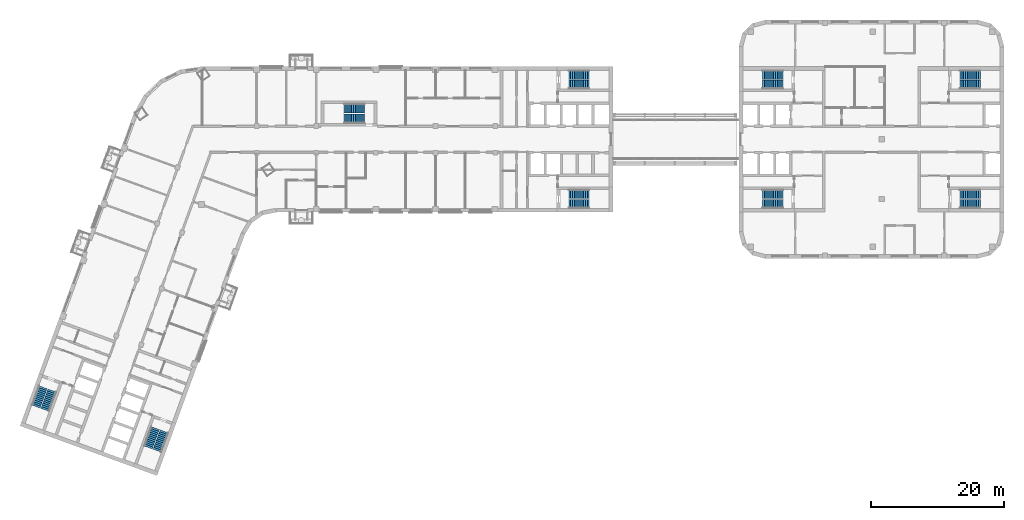
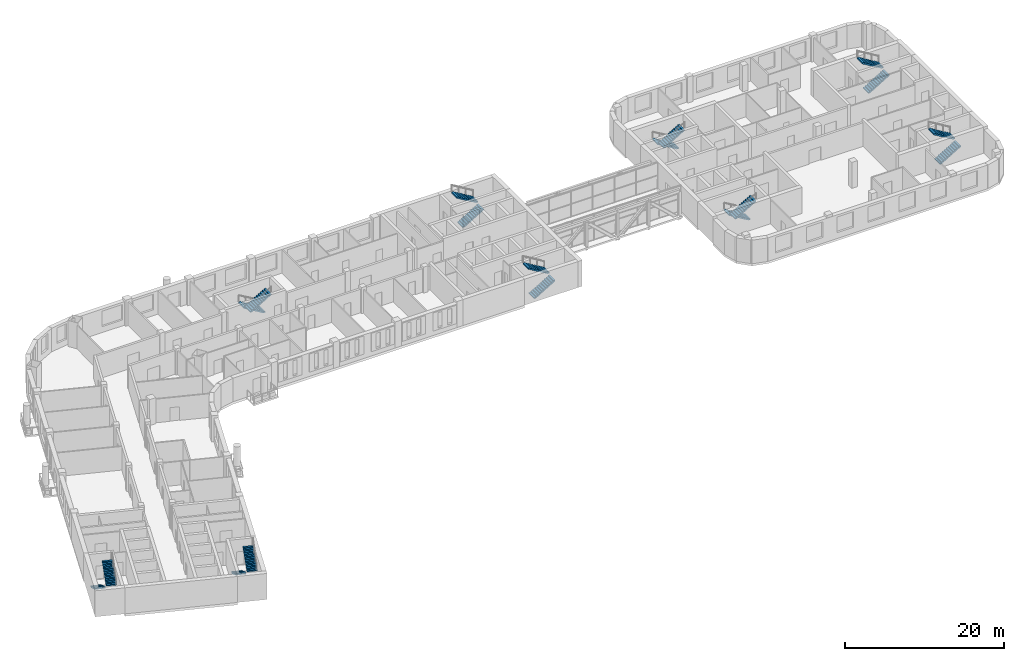
# One storey, part 13 of 18: 18 stair flights, 9 elements without a shape of their own.
"""IFC4 building model written with IfcOpenShell, lengths in metres."""

from ifc_helpers import new_model, si_unit, direction, frame, origin, place, context, subcontext, project, spatial, polyline, outline, extrude, material, type_object, element, aggregate, save


model = new_model("IFC4")

# Units and contexts
model_context = context("Model", 3, precision=1e-05, world=origin(), true_north=direction((0.0, 1.0)))
body_context = subcontext(model_context, "Body", "Model", "MODEL_VIEW")
ifc_project = project(units=[si_unit("LENGTHUNIT", "METRE"), si_unit("AREAUNIT", "SQUARE_METRE"), si_unit("VOLUMEUNIT", "CUBIC_METRE"), si_unit("PLANEANGLEUNIT", "RADIAN"), si_unit("MASSUNIT", "GRAM", prefix="KILO")], contexts=[model_context])

# Site, building, storey
site_placement = place(None, origin())
site = spatial("IfcSite", under=ifc_project, at=site_placement, CompositionType="ELEMENT")
building_placement = place(site_placement, origin())
building = spatial("IfcBuilding", under=site, at=building_placement, Name="Skarvind Civic Tower", CompositionType="ELEMENT")
storey_placement = place(building_placement, frame((0.0, 0.0, 31.5)))
storey = spatial("IfcBuildingStorey", under=building, at=storey_placement, Name="L06", CompositionType="ELEMENT", Elevation=31.5)

# Stair, stair flights
ifc_material = material(Name="Concrete C40/50", Category="concrete")
stair_type_1 = type_object("IfcStairType", Name="Exit stair 1450, half-turn, concrete", PredefinedType="HALF_TURN_STAIR", material=ifc_material)
stair_1_placement = place(storey_placement, origin())
stair_1 = element("IfcStair", 1, at=stair_1_placement, inside=storey, type_object=stair_type_1, Name="Exit stair CM", PredefinedType="HALF_TURN_STAIR")
stair_flight_type_1 = type_object("IfcStairFlightType", Name="Stair flight 1450, concrete", PredefinedType="STRAIGHT", material=ifc_material)
stair_flight_1_placement = place(storey_placement, frame((70.550048828125, 132.675048828125, 0.0), z_axis=(0.0, 0.0, 1.0), x_axis=(-1.0, 0.0, 0.0)))
stair_flight_1 = element("IfcStairFlight", 2, at=stair_flight_1_placement, type_object=stair_flight_type_1, Name="ST-CM flight 1", NumberOfRisers=12, NumberOfTreads=11, PredefinedType="STRAIGHT", RiserHeight=0.166666667, TreadLength=0.28, context=body_context, shape_type="SweptSolid", body=[
    extrude(outline(polyline([(0.0, 0.0), (0.0, 0.166748046875), (0.280029296875, 0.166748046875), (0.280029296875, 0.333251953125), (0.56005859375, 0.333251953125), (0.56005859375, 0.5), (0.840087890625, 0.5), (0.840087890625, 0.666748046875), (1.1201171875, 0.666748046875), (1.1201171875, 0.833251953125), (1.39990234375, 0.833251953125), (1.39990234375, 1.0), (1.679931640625, 1.0), (1.679931640625, 1.166748046875), (1.9599609375, 1.166748046875), (1.9599609375, 1.333251953125), (2.239990234375, 1.333251953125), (2.239990234375, 1.5), (2.52001953125, 1.5), (2.52001953125, 1.666748046875), (2.800048828125, 1.666748046875), (2.800048828125, 1.833251953125), (3.080078125, 1.833251953125), (3.080078125, 2.0), (3.080078125, 1.658935546875), (0.29296875, 0.0), (0.0, 0.0)])), frame((0.0, 0.72509765625, 0.0), z_axis=(0.0, -1.0, 0.0), x_axis=(1.0, 0.0, 0.0)), (0.0, 0.0, 1.0), 1.449951171875),
])
stair_flight_2_placement = place(storey_placement, frame((67.469970703125, 131.125, 2.0), z_axis=(0.0, 0.0, 1.0), x_axis=(1.0, 0.0, 0.0)))
stair_flight_2 = element("IfcStairFlight", 3, at=stair_flight_2_placement, type_object=stair_flight_type_1, Name="ST-CM flight 2", NumberOfRisers=12, NumberOfTreads=11, PredefinedType="STRAIGHT", RiserHeight=0.166666667, TreadLength=0.28, context=body_context, shape_type="SweptSolid", body=[
    extrude(outline(polyline([(0.0, 0.0), (0.0, 0.166748046875), (0.280029296875, 0.166748046875), (0.280029296875, 0.333251953125), (0.56005859375, 0.333251953125), (0.56005859375, 0.5), (0.840087890625, 0.5), (0.840087890625, 0.666748046875), (1.1201171875, 0.666748046875), (1.1201171875, 0.833251953125), (1.39990234375, 0.833251953125), (1.39990234375, 1.0), (1.679931640625, 1.0), (1.679931640625, 1.166748046875), (1.9599609375, 1.166748046875), (1.9599609375, 1.333251953125), (2.239990234375, 1.333251953125), (2.239990234375, 1.5), (2.52001953125, 1.5), (2.52001953125, 1.666748046875), (2.800048828125, 1.666748046875), (2.800048828125, 1.833251953125), (3.080078125, 1.833251953125), (3.080078125, 2.0), (3.080078125, 1.658935546875), (0.29296875, 0.0), (0.0, 0.0)])), frame((0.0, 0.72509765625, 0.0), z_axis=(0.0, -1.0, 0.0), x_axis=(1.0, 0.0, 0.0)), (0.0, 0.0, 1.0), 1.449951171875),
])
aggregate(stair_1, [stair_flight_1, stair_flight_2])

stair_type_2 = type_object("IfcStairType", Name="Exit stair, half-turn, concrete", PredefinedType="HALF_TURN_STAIR", material=ifc_material)
stair_2_placement = place(storey_placement, origin())
stair_2 = element("IfcStair", 4, at=stair_2_placement, inside=storey, type_object=stair_type_2, Name="Exit stair C1S", PredefinedType="HALF_TURN_STAIR")
stair_flight_type_2 = type_object("IfcStairFlightType", Name="Stair flight, concrete", PredefinedType="STRAIGHT", material=ifc_material)
stair_flight_3_placement = place(storey_placement, frame((101.35009765625, 136.27490234375, 0.0), z_axis=(0.0, 0.0, 1.0), x_axis=(1.0, 0.0, 0.0)))
stair_flight_3 = element("IfcStairFlight", 5, at=stair_flight_3_placement, type_object=stair_flight_type_2, Name="ST-C1S flight 1", NumberOfRisers=12, NumberOfTreads=11, PredefinedType="STRAIGHT", RiserHeight=0.166666667, TreadLength=0.28, context=body_context, shape_type="SweptSolid", body=[
    extrude(outline(polyline([(0.0, 0.0), (0.0, 0.166748046875), (0.280029296875, 0.166748046875), (0.280029296875, 0.333251953125), (0.56005859375, 0.333251953125), (0.56005859375, 0.5), (0.840087890625, 0.5), (0.840087890625, 0.666748046875), (1.1201171875, 0.666748046875), (1.1201171875, 0.833251953125), (1.39990234375, 0.833251953125), (1.39990234375, 1.0), (1.679931640625, 1.0), (1.679931640625, 1.166748046875), (1.9599609375, 1.166748046875), (1.9599609375, 1.333251953125), (2.239990234375, 1.333251953125), (2.239990234375, 1.5), (2.52001953125, 1.5), (2.52001953125, 1.666748046875), (2.800048828125, 1.666748046875), (2.800048828125, 1.833251953125), (3.080078125, 1.833251953125), (3.080078125, 2.0), (3.080078125, 1.658935546875), (0.29296875, 0.0), (0.0, 0.0)])), frame((0.0, 0.675048828125, 0.0), z_axis=(0.0, -1.0, 0.0), x_axis=(1.0, 0.0, 0.0)), (0.0, 0.0, 1.0), 1.35009765625),
])
stair_flight_4_placement = place(storey_placement, frame((104.429931640625, 137.72509765625, 2.0), z_axis=(0.0, 0.0, 1.0), x_axis=(-1.0, 0.0, 0.0)))
stair_flight_4 = element("IfcStairFlight", 6, at=stair_flight_4_placement, type_object=stair_flight_type_2, Name="ST-C1S flight 2", NumberOfRisers=12, NumberOfTreads=11, PredefinedType="STRAIGHT", RiserHeight=0.166666667, TreadLength=0.28, context=body_context, shape_type="SweptSolid", body=[
    extrude(outline(polyline([(0.0, 0.0), (0.0, 0.166748046875), (0.280029296875, 0.166748046875), (0.280029296875, 0.333251953125), (0.56005859375, 0.333251953125), (0.56005859375, 0.5), (0.840087890625, 0.5), (0.840087890625, 0.666748046875), (1.1201171875, 0.666748046875), (1.1201171875, 0.833251953125), (1.39990234375, 0.833251953125), (1.39990234375, 1.0), (1.679931640625, 1.0), (1.679931640625, 1.166748046875), (1.9599609375, 1.166748046875), (1.9599609375, 1.333251953125), (2.239990234375, 1.333251953125), (2.239990234375, 1.5), (2.52001953125, 1.5), (2.52001953125, 1.666748046875), (2.800048828125, 1.666748046875), (2.800048828125, 1.833251953125), (3.080078125, 1.833251953125), (3.080078125, 2.0), (3.080078125, 1.658935546875), (0.29296875, 0.0), (0.0, 0.0)])), frame((0.0, 0.675048828125, 0.0), z_axis=(0.0, -1.0, 0.0), x_axis=(1.0, 0.0, 0.0)), (0.0, 0.0, 1.0), 1.35009765625),
])
aggregate(stair_2, [stair_flight_3, stair_flight_4])

stair_3_placement = place(storey_placement, origin())
stair_3 = element("IfcStair", 7, at=stair_3_placement, inside=storey, type_object=stair_type_2, Name="Exit stair C1N", PredefinedType="HALF_TURN_STAIR")
stair_flight_5_placement = place(storey_placement, frame((101.35009765625, 118.27490234375, 0.0), z_axis=(0.0, 0.0, 1.0), x_axis=(1.0, 0.0, 0.0)))
stair_flight_5 = element("IfcStairFlight", 8, at=stair_flight_5_placement, type_object=stair_flight_type_2, Name="ST-C1N flight 1", NumberOfRisers=12, NumberOfTreads=11, PredefinedType="STRAIGHT", RiserHeight=0.166666667, TreadLength=0.28, context=body_context, shape_type="SweptSolid", body=[
    extrude(outline(polyline([(0.0, 0.0), (0.0, 0.166748046875), (0.280029296875, 0.166748046875), (0.280029296875, 0.333251953125), (0.56005859375, 0.333251953125), (0.56005859375, 0.5), (0.840087890625, 0.5), (0.840087890625, 0.666748046875), (1.1201171875, 0.666748046875), (1.1201171875, 0.833251953125), (1.39990234375, 0.833251953125), (1.39990234375, 1.0), (1.679931640625, 1.0), (1.679931640625, 1.166748046875), (1.9599609375, 1.166748046875), (1.9599609375, 1.333251953125), (2.239990234375, 1.333251953125), (2.239990234375, 1.5), (2.52001953125, 1.5), (2.52001953125, 1.666748046875), (2.800048828125, 1.666748046875), (2.800048828125, 1.833251953125), (3.080078125, 1.833251953125), (3.080078125, 2.0), (3.080078125, 1.658935546875), (0.29296875, 0.0), (0.0, 0.0)])), frame((0.0, 0.675048828125, 0.0), z_axis=(0.0, -1.0, 0.0), x_axis=(1.0, 0.0, 0.0)), (0.0, 0.0, 1.0), 1.35009765625),
])
stair_flight_6_placement = place(storey_placement, frame((104.429931640625, 119.72509765625, 2.0), z_axis=(0.0, 0.0, 1.0), x_axis=(-1.0, 0.0, 0.0)))
stair_flight_6 = element("IfcStairFlight", 9, at=stair_flight_6_placement, type_object=stair_flight_type_2, Name="ST-C1N flight 2", NumberOfRisers=12, NumberOfTreads=11, PredefinedType="STRAIGHT", RiserHeight=0.166666667, TreadLength=0.28, context=body_context, shape_type="SweptSolid", body=[
    extrude(outline(polyline([(0.0, 0.0), (0.0, 0.166748046875), (0.280029296875, 0.166748046875), (0.280029296875, 0.333251953125), (0.56005859375, 0.333251953125), (0.56005859375, 0.5), (0.840087890625, 0.5), (0.840087890625, 0.666748046875), (1.1201171875, 0.666748046875), (1.1201171875, 0.833251953125), (1.39990234375, 0.833251953125), (1.39990234375, 1.0), (1.679931640625, 1.0), (1.679931640625, 1.166748046875), (1.9599609375, 1.166748046875), (1.9599609375, 1.333251953125), (2.239990234375, 1.333251953125), (2.239990234375, 1.5), (2.52001953125, 1.5), (2.52001953125, 1.666748046875), (2.800048828125, 1.666748046875), (2.800048828125, 1.833251953125), (3.080078125, 1.833251953125), (3.080078125, 2.0), (3.080078125, 1.658935546875), (0.29296875, 0.0), (0.0, 0.0)])), frame((0.0, 0.675048828125, 0.0), z_axis=(0.0, -1.0, 0.0), x_axis=(1.0, 0.0, 0.0)), (0.0, 0.0, 1.0), 1.35009765625),
])
aggregate(stair_3, [stair_flight_5, stair_flight_6])

stair_4_placement = place(storey_placement, origin())
stair_4 = element("IfcStair", 10, at=stair_4_placement, inside=storey, type_object=stair_type_2, Name="Exit stair C2S", PredefinedType="HALF_TURN_STAIR")
stair_flight_7_placement = place(storey_placement, frame((38.949462890625, 84.43408203125, 0.0), z_axis=(0.0, 0.0, 1.0), x_axis=(-0.342020143326, -0.939692620786, 0.0)))
stair_flight_7 = element("IfcStairFlight", 11, at=stair_flight_7_placement, type_object=stair_flight_type_2, Name="ST-C2S flight 1", NumberOfRisers=12, NumberOfTreads=11, PredefinedType="STRAIGHT", RiserHeight=0.166666667, TreadLength=0.28, context=body_context, shape_type="SweptSolid", body=[
    extrude(outline(polyline([(0.0, 0.0), (0.0, 0.166748046875), (0.280029296875, 0.166748046875), (0.280029296875, 0.333251953125), (0.56005859375, 0.333251953125), (0.56005859375, 0.5), (0.840087890625, 0.5), (0.840087890625, 0.666748046875), (1.1201171875, 0.666748046875), (1.1201171875, 0.833251953125), (1.39990234375, 0.833251953125), (1.39990234375, 1.0), (1.679931640625, 1.0), (1.679931640625, 1.166748046875), (1.9599609375, 1.166748046875), (1.9599609375, 1.333251953125), (2.239990234375, 1.333251953125), (2.239990234375, 1.5), (2.52001953125, 1.5), (2.52001953125, 1.666748046875), (2.800048828125, 1.666748046875), (2.800048828125, 1.833251953125), (3.080078125, 1.833251953125), (3.080078125, 2.0), (3.080078125, 1.658935546875), (0.29296875, 0.0), (0.0, 0.0)])), frame((0.0, 0.675048828125, 0.0), z_axis=(0.0, -1.0, 0.0), x_axis=(1.0, 0.0, 0.0)), (0.0, 0.0, 1.0), 1.35009765625),
])
stair_flight_8_placement = place(storey_placement, frame((39.258544921875, 81.0439453125, 2.0), z_axis=(0.0, 0.0, 1.0), x_axis=(0.342020143326, 0.939692620786, 0.0)))
stair_flight_8 = element("IfcStairFlight", 12, at=stair_flight_8_placement, type_object=stair_flight_type_2, Name="ST-C2S flight 2", NumberOfRisers=12, NumberOfTreads=11, PredefinedType="STRAIGHT", RiserHeight=0.166666667, TreadLength=0.28, context=body_context, shape_type="SweptSolid", body=[
    extrude(outline(polyline([(0.0, 0.0), (0.0, 0.166748046875), (0.280029296875, 0.166748046875), (0.280029296875, 0.333251953125), (0.56005859375, 0.333251953125), (0.56005859375, 0.5), (0.840087890625, 0.5), (0.840087890625, 0.666748046875), (1.1201171875, 0.666748046875), (1.1201171875, 0.833251953125), (1.39990234375, 0.833251953125), (1.39990234375, 1.0), (1.679931640625, 1.0), (1.679931640625, 1.166748046875), (1.9599609375, 1.166748046875), (1.9599609375, 1.333251953125), (2.239990234375, 1.333251953125), (2.239990234375, 1.5), (2.52001953125, 1.5), (2.52001953125, 1.666748046875), (2.800048828125, 1.666748046875), (2.800048828125, 1.833251953125), (3.080078125, 1.833251953125), (3.080078125, 2.0), (3.080078125, 1.658935546875), (0.29296875, 0.0), (0.0, 0.0)])), frame((0.0, 0.675048828125, 0.0), z_axis=(0.0, -1.0, 0.0), x_axis=(1.0, 0.0, 0.0)), (0.0, 0.0, 1.0), 1.35009765625),
])
aggregate(stair_4, [stair_flight_7, stair_flight_8])

stair_5_placement = place(storey_placement, origin())
stair_5 = element("IfcStair", 13, at=stair_5_placement, inside=storey, type_object=stair_type_2, Name="Exit stair C2N", PredefinedType="HALF_TURN_STAIR")
stair_flight_9_placement = place(storey_placement, frame((22.034912109375, 90.590576171875, 0.0), z_axis=(0.0, 0.0, 1.0), x_axis=(-0.342020143326, -0.939692620786, 0.0)))
stair_flight_9 = element("IfcStairFlight", 14, at=stair_flight_9_placement, type_object=stair_flight_type_2, Name="ST-C2N flight 1", NumberOfRisers=12, NumberOfTreads=11, PredefinedType="STRAIGHT", RiserHeight=0.166666667, TreadLength=0.28, context=body_context, shape_type="SweptSolid", body=[
    extrude(outline(polyline([(0.0, 0.0), (0.0, 0.166748046875), (0.280029296875, 0.166748046875), (0.280029296875, 0.333251953125), (0.56005859375, 0.333251953125), (0.56005859375, 0.5), (0.840087890625, 0.5), (0.840087890625, 0.666748046875), (1.1201171875, 0.666748046875), (1.1201171875, 0.833251953125), (1.39990234375, 0.833251953125), (1.39990234375, 1.0), (1.679931640625, 1.0), (1.679931640625, 1.166748046875), (1.9599609375, 1.166748046875), (1.9599609375, 1.333251953125), (2.239990234375, 1.333251953125), (2.239990234375, 1.5), (2.52001953125, 1.5), (2.52001953125, 1.666748046875), (2.800048828125, 1.666748046875), (2.800048828125, 1.833251953125), (3.080078125, 1.833251953125), (3.080078125, 2.0), (3.080078125, 1.658935546875), (0.29296875, 0.0), (0.0, 0.0)])), frame((0.0, 0.675048828125, 0.0), z_axis=(0.0, -1.0, 0.0), x_axis=(1.0, 0.0, 0.0)), (0.0, 0.0, 1.0), 1.35009765625),
])
stair_flight_10_placement = place(storey_placement, frame((22.343994140625, 87.2001953125, 2.0), z_axis=(0.0, 0.0, 1.0), x_axis=(0.342020143326, 0.939692620786, 0.0)))
stair_flight_10 = element("IfcStairFlight", 15, at=stair_flight_10_placement, type_object=stair_flight_type_2, Name="ST-C2N flight 2", NumberOfRisers=12, NumberOfTreads=11, PredefinedType="STRAIGHT", RiserHeight=0.166666667, TreadLength=0.28, context=body_context, shape_type="SweptSolid", body=[
    extrude(outline(polyline([(0.0, 0.0), (0.0, 0.166748046875), (0.280029296875, 0.166748046875), (0.280029296875, 0.333251953125), (0.56005859375, 0.333251953125), (0.56005859375, 0.5), (0.840087890625, 0.5), (0.840087890625, 0.666748046875), (1.1201171875, 0.666748046875), (1.1201171875, 0.833251953125), (1.39990234375, 0.833251953125), (1.39990234375, 1.0), (1.679931640625, 1.0), (1.679931640625, 1.166748046875), (1.9599609375, 1.166748046875), (1.9599609375, 1.333251953125), (2.239990234375, 1.333251953125), (2.239990234375, 1.5), (2.52001953125, 1.5), (2.52001953125, 1.666748046875), (2.800048828125, 1.666748046875), (2.800048828125, 1.833251953125), (3.080078125, 1.833251953125), (3.080078125, 2.0), (3.080078125, 1.658935546875), (0.29296875, 0.0), (0.0, 0.0)])), frame((0.0, 0.675048828125, 0.0), z_axis=(0.0, -1.0, 0.0), x_axis=(1.0, 0.0, 0.0)), (0.0, 0.0, 1.0), 1.35009765625),
])
aggregate(stair_5, [stair_flight_9, stair_flight_10])

stair_6_placement = place(storey_placement, origin())
stair_6 = element("IfcStair", 16, at=stair_6_placement, inside=storey, type_object=stair_type_2, Name="Exit stair CAS", PredefinedType="HALF_TURN_STAIR")
stair_flight_11_placement = place(storey_placement, frame((133.64990234375, 119.72509765625, 0.0), z_axis=(0.0, 0.0, 1.0), x_axis=(-1.0, 0.0, 0.0)))
stair_flight_11 = element("IfcStairFlight", 17, at=stair_flight_11_placement, type_object=stair_flight_type_2, Name="ST-CAS flight 1", NumberOfRisers=12, NumberOfTreads=11, PredefinedType="STRAIGHT", RiserHeight=0.166666667, TreadLength=0.28, context=body_context, shape_type="SweptSolid", body=[
    extrude(outline(polyline([(0.0, 0.0), (0.0, 0.166748046875), (0.280029296875, 0.166748046875), (0.280029296875, 0.333251953125), (0.56005859375, 0.333251953125), (0.56005859375, 0.5), (0.840087890625, 0.5), (0.840087890625, 0.666748046875), (1.1201171875, 0.666748046875), (1.1201171875, 0.833251953125), (1.39990234375, 0.833251953125), (1.39990234375, 1.0), (1.679931640625, 1.0), (1.679931640625, 1.166748046875), (1.9599609375, 1.166748046875), (1.9599609375, 1.333251953125), (2.239990234375, 1.333251953125), (2.239990234375, 1.5), (2.52001953125, 1.5), (2.52001953125, 1.666748046875), (2.800048828125, 1.666748046875), (2.800048828125, 1.833251953125), (3.080078125, 1.833251953125), (3.080078125, 2.0), (3.080078125, 1.658935546875), (0.29296875, 0.0), (0.0, 0.0)])), frame((0.0, 0.675048828125, 0.0), z_axis=(0.0, -1.0, 0.0), x_axis=(1.0, 0.0, 0.0)), (0.0, 0.0, 1.0), 1.35009765625),
])
stair_flight_12_placement = place(storey_placement, frame((130.570068359375, 118.27490234375, 2.0), z_axis=(0.0, 0.0, 1.0), x_axis=(1.0, 0.0, 0.0)))
stair_flight_12 = element("IfcStairFlight", 18, at=stair_flight_12_placement, type_object=stair_flight_type_2, Name="ST-CAS flight 2", NumberOfRisers=12, NumberOfTreads=11, PredefinedType="STRAIGHT", RiserHeight=0.166666667, TreadLength=0.28, context=body_context, shape_type="SweptSolid", body=[
    extrude(outline(polyline([(0.0, 0.0), (0.0, 0.166748046875), (0.280029296875, 0.166748046875), (0.280029296875, 0.333251953125), (0.56005859375, 0.333251953125), (0.56005859375, 0.5), (0.840087890625, 0.5), (0.840087890625, 0.666748046875), (1.1201171875, 0.666748046875), (1.1201171875, 0.833251953125), (1.39990234375, 0.833251953125), (1.39990234375, 1.0), (1.679931640625, 1.0), (1.679931640625, 1.166748046875), (1.9599609375, 1.166748046875), (1.9599609375, 1.333251953125), (2.239990234375, 1.333251953125), (2.239990234375, 1.5), (2.52001953125, 1.5), (2.52001953125, 1.666748046875), (2.800048828125, 1.666748046875), (2.800048828125, 1.833251953125), (3.080078125, 1.833251953125), (3.080078125, 2.0), (3.080078125, 1.658935546875), (0.29296875, 0.0), (0.0, 0.0)])), frame((0.0, 0.675048828125, 0.0), z_axis=(0.0, -1.0, 0.0), x_axis=(1.0, 0.0, 0.0)), (0.0, 0.0, 1.0), 1.35009765625),
])
aggregate(stair_6, [stair_flight_11, stair_flight_12])

stair_7_placement = place(storey_placement, origin())
stair_7 = element("IfcStair", 19, at=stair_7_placement, inside=storey, type_object=stair_type_2, Name="Exit stair CAN", PredefinedType="HALF_TURN_STAIR")
stair_flight_13_placement = place(storey_placement, frame((133.64990234375, 137.72509765625, 0.0), z_axis=(0.0, 0.0, 1.0), x_axis=(-1.0, 0.0, 0.0)))
stair_flight_13 = element("IfcStairFlight", 20, at=stair_flight_13_placement, type_object=stair_flight_type_2, Name="ST-CAN flight 1", NumberOfRisers=12, NumberOfTreads=11, PredefinedType="STRAIGHT", RiserHeight=0.166666667, TreadLength=0.28, context=body_context, shape_type="SweptSolid", body=[
    extrude(outline(polyline([(0.0, 0.0), (0.0, 0.166748046875), (0.280029296875, 0.166748046875), (0.280029296875, 0.333251953125), (0.56005859375, 0.333251953125), (0.56005859375, 0.5), (0.840087890625, 0.5), (0.840087890625, 0.666748046875), (1.1201171875, 0.666748046875), (1.1201171875, 0.833251953125), (1.39990234375, 0.833251953125), (1.39990234375, 1.0), (1.679931640625, 1.0), (1.679931640625, 1.166748046875), (1.9599609375, 1.166748046875), (1.9599609375, 1.333251953125), (2.239990234375, 1.333251953125), (2.239990234375, 1.5), (2.52001953125, 1.5), (2.52001953125, 1.666748046875), (2.800048828125, 1.666748046875), (2.800048828125, 1.833251953125), (3.080078125, 1.833251953125), (3.080078125, 2.0), (3.080078125, 1.658935546875), (0.29296875, 0.0), (0.0, 0.0)])), frame((0.0, 0.675048828125, 0.0), z_axis=(0.0, -1.0, 0.0), x_axis=(1.0, 0.0, 0.0)), (0.0, 0.0, 1.0), 1.35009765625),
])
stair_flight_14_placement = place(storey_placement, frame((130.570068359375, 136.27490234375, 2.0), z_axis=(0.0, 0.0, 1.0), x_axis=(1.0, 0.0, 0.0)))
stair_flight_14 = element("IfcStairFlight", 21, at=stair_flight_14_placement, type_object=stair_flight_type_2, Name="ST-CAN flight 2", NumberOfRisers=12, NumberOfTreads=11, PredefinedType="STRAIGHT", RiserHeight=0.166666667, TreadLength=0.28, context=body_context, shape_type="SweptSolid", body=[
    extrude(outline(polyline([(0.0, 0.0), (0.0, 0.166748046875), (0.280029296875, 0.166748046875), (0.280029296875, 0.333251953125), (0.56005859375, 0.333251953125), (0.56005859375, 0.5), (0.840087890625, 0.5), (0.840087890625, 0.666748046875), (1.1201171875, 0.666748046875), (1.1201171875, 0.833251953125), (1.39990234375, 0.833251953125), (1.39990234375, 1.0), (1.679931640625, 1.0), (1.679931640625, 1.166748046875), (1.9599609375, 1.166748046875), (1.9599609375, 1.333251953125), (2.239990234375, 1.333251953125), (2.239990234375, 1.5), (2.52001953125, 1.5), (2.52001953125, 1.666748046875), (2.800048828125, 1.666748046875), (2.800048828125, 1.833251953125), (3.080078125, 1.833251953125), (3.080078125, 2.0), (3.080078125, 1.658935546875), (0.29296875, 0.0), (0.0, 0.0)])), frame((0.0, 0.675048828125, 0.0), z_axis=(0.0, -1.0, 0.0), x_axis=(1.0, 0.0, 0.0)), (0.0, 0.0, 1.0), 1.35009765625),
])
aggregate(stair_7, [stair_flight_13, stair_flight_14])

stair_8_placement = place(storey_placement, origin())
stair_8 = element("IfcStair", 22, at=stair_8_placement, inside=storey, type_object=stair_type_2, Name="Exit stair CBS", PredefinedType="HALF_TURN_STAIR")
stair_flight_15_placement = place(storey_placement, frame((160.35009765625, 136.27490234375, 0.0), z_axis=(0.0, 0.0, 1.0), x_axis=(1.0, 0.0, 0.0)))
stair_flight_15 = element("IfcStairFlight", 23, at=stair_flight_15_placement, type_object=stair_flight_type_2, Name="ST-CBS flight 1", NumberOfRisers=12, NumberOfTreads=11, PredefinedType="STRAIGHT", RiserHeight=0.166666667, TreadLength=0.28, context=body_context, shape_type="SweptSolid", body=[
    extrude(outline(polyline([(0.0, 0.0), (0.0, 0.166748046875), (0.280029296875, 0.166748046875), (0.280029296875, 0.333251953125), (0.56005859375, 0.333251953125), (0.56005859375, 0.5), (0.840087890625, 0.5), (0.840087890625, 0.666748046875), (1.1201171875, 0.666748046875), (1.1201171875, 0.833251953125), (1.39990234375, 0.833251953125), (1.39990234375, 1.0), (1.679931640625, 1.0), (1.679931640625, 1.166748046875), (1.9599609375, 1.166748046875), (1.9599609375, 1.333251953125), (2.239990234375, 1.333251953125), (2.239990234375, 1.5), (2.52001953125, 1.5), (2.52001953125, 1.666748046875), (2.800048828125, 1.666748046875), (2.800048828125, 1.833251953125), (3.080078125, 1.833251953125), (3.080078125, 2.0), (3.080078125, 1.658935546875), (0.29296875, 0.0), (0.0, 0.0)])), frame((0.0, 0.675048828125, 0.0), z_axis=(0.0, -1.0, 0.0), x_axis=(1.0, 0.0, 0.0)), (0.0, 0.0, 1.0), 1.35009765625),
])
stair_flight_16_placement = place(storey_placement, frame((163.429931640625, 137.72509765625, 2.0), z_axis=(0.0, 0.0, 1.0), x_axis=(-1.0, 0.0, 0.0)))
stair_flight_16 = element("IfcStairFlight", 24, at=stair_flight_16_placement, type_object=stair_flight_type_2, Name="ST-CBS flight 2", NumberOfRisers=12, NumberOfTreads=11, PredefinedType="STRAIGHT", RiserHeight=0.166666667, TreadLength=0.28, context=body_context, shape_type="SweptSolid", body=[
    extrude(outline(polyline([(0.0, 0.0), (0.0, 0.166748046875), (0.280029296875, 0.166748046875), (0.280029296875, 0.333251953125), (0.56005859375, 0.333251953125), (0.56005859375, 0.5), (0.840087890625, 0.5), (0.840087890625, 0.666748046875), (1.1201171875, 0.666748046875), (1.1201171875, 0.833251953125), (1.39990234375, 0.833251953125), (1.39990234375, 1.0), (1.679931640625, 1.0), (1.679931640625, 1.166748046875), (1.9599609375, 1.166748046875), (1.9599609375, 1.333251953125), (2.239990234375, 1.333251953125), (2.239990234375, 1.5), (2.52001953125, 1.5), (2.52001953125, 1.666748046875), (2.800048828125, 1.666748046875), (2.800048828125, 1.833251953125), (3.080078125, 1.833251953125), (3.080078125, 2.0), (3.080078125, 1.658935546875), (0.29296875, 0.0), (0.0, 0.0)])), frame((0.0, 0.675048828125, 0.0), z_axis=(0.0, -1.0, 0.0), x_axis=(1.0, 0.0, 0.0)), (0.0, 0.0, 1.0), 1.35009765625),
])
aggregate(stair_8, [stair_flight_15, stair_flight_16])

stair_9_placement = place(storey_placement, origin())
stair_9 = element("IfcStair", 25, at=stair_9_placement, inside=storey, type_object=stair_type_2, Name="Exit stair CBN", PredefinedType="HALF_TURN_STAIR")
stair_flight_17_placement = place(storey_placement, frame((160.35009765625, 118.27490234375, 0.0), z_axis=(0.0, 0.0, 1.0), x_axis=(1.0, 0.0, 0.0)))
stair_flight_17 = element("IfcStairFlight", 26, at=stair_flight_17_placement, type_object=stair_flight_type_2, Name="ST-CBN flight 1", NumberOfRisers=12, NumberOfTreads=11, PredefinedType="STRAIGHT", RiserHeight=0.166666667, TreadLength=0.28, context=body_context, shape_type="SweptSolid", body=[
    extrude(outline(polyline([(0.0, 0.0), (0.0, 0.166748046875), (0.280029296875, 0.166748046875), (0.280029296875, 0.333251953125), (0.56005859375, 0.333251953125), (0.56005859375, 0.5), (0.840087890625, 0.5), (0.840087890625, 0.666748046875), (1.1201171875, 0.666748046875), (1.1201171875, 0.833251953125), (1.39990234375, 0.833251953125), (1.39990234375, 1.0), (1.679931640625, 1.0), (1.679931640625, 1.166748046875), (1.9599609375, 1.166748046875), (1.9599609375, 1.333251953125), (2.239990234375, 1.333251953125), (2.239990234375, 1.5), (2.52001953125, 1.5), (2.52001953125, 1.666748046875), (2.800048828125, 1.666748046875), (2.800048828125, 1.833251953125), (3.080078125, 1.833251953125), (3.080078125, 2.0), (3.080078125, 1.658935546875), (0.29296875, 0.0), (0.0, 0.0)])), frame((0.0, 0.675048828125, 0.0), z_axis=(0.0, -1.0, 0.0), x_axis=(1.0, 0.0, 0.0)), (0.0, 0.0, 1.0), 1.35009765625),
])
stair_flight_18_placement = place(storey_placement, frame((163.429931640625, 119.72509765625, 2.0), z_axis=(0.0, 0.0, 1.0), x_axis=(-1.0, 0.0, 0.0)))
stair_flight_18 = element("IfcStairFlight", 27, at=stair_flight_18_placement, type_object=stair_flight_type_2, Name="ST-CBN flight 2", NumberOfRisers=12, NumberOfTreads=11, PredefinedType="STRAIGHT", RiserHeight=0.166666667, TreadLength=0.28, context=body_context, shape_type="SweptSolid", body=[
    extrude(outline(polyline([(0.0, 0.0), (0.0, 0.166748046875), (0.280029296875, 0.166748046875), (0.280029296875, 0.333251953125), (0.56005859375, 0.333251953125), (0.56005859375, 0.5), (0.840087890625, 0.5), (0.840087890625, 0.666748046875), (1.1201171875, 0.666748046875), (1.1201171875, 0.833251953125), (1.39990234375, 0.833251953125), (1.39990234375, 1.0), (1.679931640625, 1.0), (1.679931640625, 1.166748046875), (1.9599609375, 1.166748046875), (1.9599609375, 1.333251953125), (2.239990234375, 1.333251953125), (2.239990234375, 1.5), (2.52001953125, 1.5), (2.52001953125, 1.666748046875), (2.800048828125, 1.666748046875), (2.800048828125, 1.833251953125), (3.080078125, 1.833251953125), (3.080078125, 2.0), (3.080078125, 1.658935546875), (0.29296875, 0.0), (0.0, 0.0)])), frame((0.0, 0.675048828125, 0.0), z_axis=(0.0, -1.0, 0.0), x_axis=(1.0, 0.0, 0.0)), (0.0, 0.0, 1.0), 1.35009765625),
])
aggregate(stair_9, [stair_flight_17, stair_flight_18])

save(model, "model.ifc")
